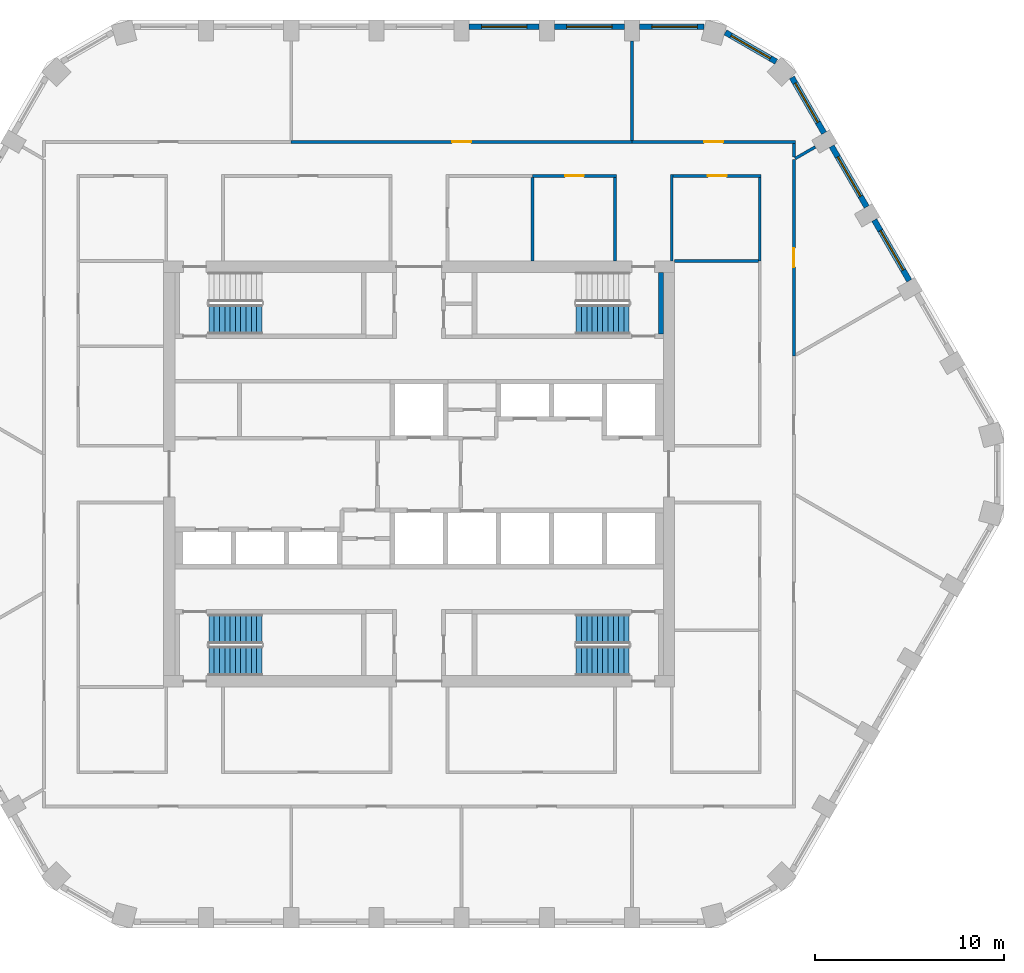
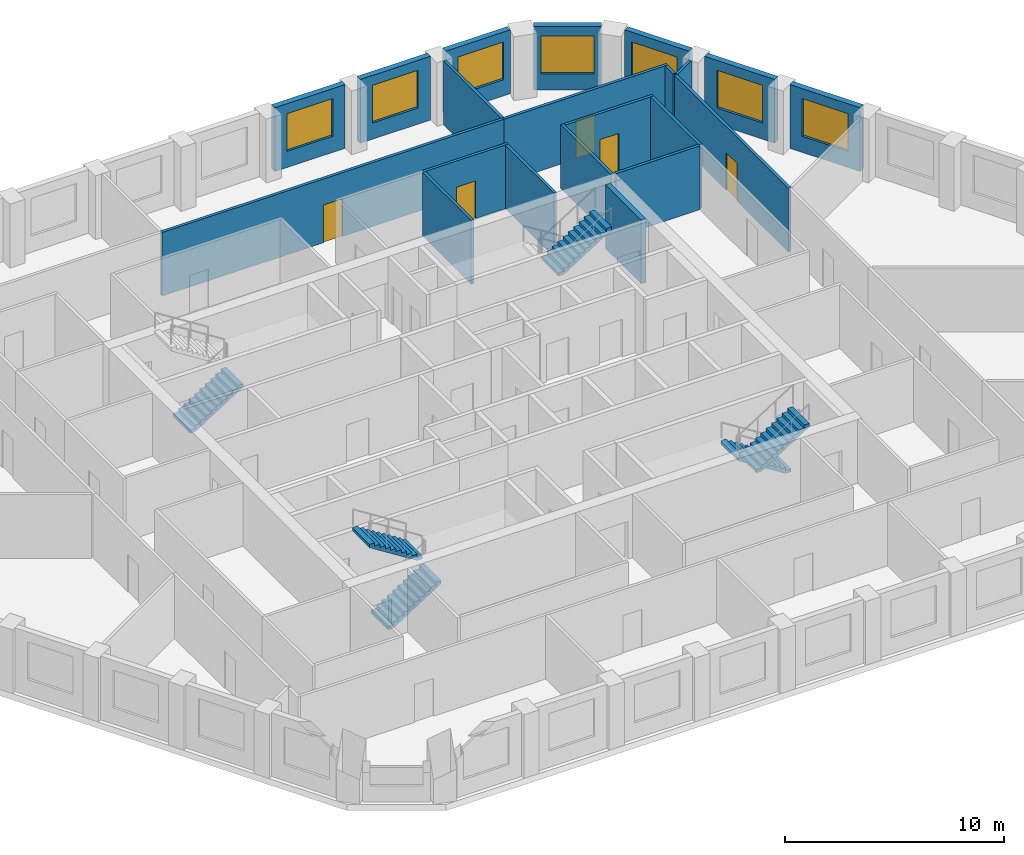
# One storey, part 7 of 9: 21 walls, 7 windows, 6 stair flights, 5 doors, 12 openings, 4 elements without a shape of their own.
"""IFC4 building model written with IfcOpenShell, lengths in metres."""

import ifcopenshell
import ifcopenshell.guid

model = None  # the IFC model being written
_history = None  # IfcOwnerHistory: only IFC2X3 demands one
_inside = {}  # id of a spatial element -> (the spatial element, [elements in it])
_under = {}  # id of a project, library or spatial element -> (it, [spatial elements below it])
_declared = {}  # id of a project -> (the project, [libraries it declares])
_typed = {}  # id of a type object -> (the type object, [elements of that type])
_made_of = {}  # id of a material, layer set ... -> (it, [elements and type objects made of it])


def new_model(schema):
    """Start an empty IFC model of exactly this schema.

    Asked for "IFC4X3", IfcOpenShell would pick the latest addendum, in which some entities
    have other attributes; the version numbers below select the first issue.
    IFC2X3 requires an IfcOwnerHistory on every rooted entity: one is made here for all.
    """
    global model, _history
    if schema == "IFC4X3":
        model = ifcopenshell.file(schema_version=(4, 3, 0, 0))
    else:
        model = ifcopenshell.file(schema=schema)
    _inside.clear()
    _under.clear()
    _declared.clear()
    _typed.clear()
    _made_of.clear()
    _history = None
    if model.schema == "IFC2X3":
        org = make("IfcOrganization", Name="unknown")
        user = make(
            "IfcPersonAndOrganization",
            ThePerson=make("IfcPerson", FamilyName="unknown"),
            TheOrganization=org,
        )
        app = make(
            "IfcApplication",
            ApplicationDeveloper=org,
            Version="unknown",
            ApplicationFullName="unknown",
            ApplicationIdentifier="unknown",
        )
        _history = make(
            "IfcOwnerHistory",
            OwningUser=user,
            OwningApplication=app,
            ChangeAction="ADDED",
            CreationDate=0,
        )
    return model


def make(cls, **values):
    """One entity of the class cls with the attributes given. An attribute that is None is left unset."""
    return model.create_entity(
        cls, **{name: value for name, value in values.items() if value is not None}
    )


def rooted(cls, **values):
    """An entity with a GlobalId (a new one), such as an element, a storey or a relation."""
    return make(cls, GlobalId=ifcopenshell.guid.new(), OwnerHistory=_history, **values)


def si_unit(unit_type, name, prefix=None):
    """IfcSIUnit, for example si_unit("LENGTHUNIT", "METRE", prefix="MILLI")."""
    return make("IfcSIUnit", UnitType=unit_type, Prefix=prefix, Name=name)


def assignment(units):
    """IfcUnitAssignment: the units of a project."""
    return None if units is None else make("IfcUnitAssignment", Units=units)


def point(xyz):
    """IfcCartesianPoint."""
    return None if xyz is None else make("IfcCartesianPoint", Coordinates=xyz)


def direction(xyz):
    """IfcDirection."""
    return None if xyz is None else make("IfcDirection", DirectionRatios=xyz)


def frame(location, z_axis=None, x_axis=None):
    """IfcAxis2Placement3D, a coordinate frame: its origin and axes. An axis left out is left unset."""
    return make(
        "IfcAxis2Placement3D",
        Location=point(location),
        Axis=direction(z_axis),
        RefDirection=direction(x_axis),
    )


def frame_2d(location, x_axis=None):
    """IfcAxis2Placement2D, a coordinate frame in the plane: its origin and x axis."""
    return make(
        "IfcAxis2Placement2D", Location=point(location), RefDirection=direction(x_axis)
    )


def origin():
    """The frame at (0, 0, 0) with its axes left unset."""
    return frame((0.0, 0.0, 0.0))


def place(relative_to, where):
    """IfcLocalPlacement: puts the frame where relative to a parent placement (None: the world)."""
    return make(
        "IfcLocalPlacement", PlacementRelTo=relative_to, RelativePlacement=where
    )


def context(
    kind, dimensions, precision=None, world=None, true_north=None, identifier=None
):
    """IfcGeometricRepresentationContext, for example the 3D "Model" context."""
    return make(
        "IfcGeometricRepresentationContext",
        ContextIdentifier=identifier,
        ContextType=kind,
        CoordinateSpaceDimension=dimensions,
        Precision=precision,
        WorldCoordinateSystem=world,
        TrueNorth=true_north,
    )


def subcontext(parent, identifier, kind, view, scale=None):
    """IfcGeometricRepresentationSubContext, for example "Body" below "Model"."""
    return make(
        "IfcGeometricRepresentationSubContext",
        ContextIdentifier=identifier,
        ContextType=kind,
        ParentContext=parent,
        TargetScale=scale,
        TargetView=view,
    )


def project(units=None, contexts=None):
    """IfcProject with its units and contexts."""
    return rooted(
        "IfcProject",
        Name="project",
        RepresentationContexts=contexts,
        UnitsInContext=assignment(units),
    )


def spatial(cls, under=None, at=None, **own):
    """A site, building, storey or space (cls), placed at a placement, below another one or the project."""
    s = rooted(cls, ObjectPlacement=at, **own)
    if under is not None:
        _under.setdefault(under.id(), (under, []))[1].append(s)
    return s


def polyline(points):
    """IfcPolyline through the points."""
    return make("IfcPolyline", Points=[point(p) for p in points])


def profile(cls, at=None, kind="AREA", **sizes):
    """A parametric profile (cls). Its sizes go by their IFC names, for example OverallWidth=200.0."""
    return make(cls, ProfileType=kind, Position=at, **sizes)


def rectangle(**sizes):
    """IfcRectangleProfileDef."""
    return profile("IfcRectangleProfileDef", **sizes)


def outline(outer, holes=None, kind="AREA"):
    """IfcArbitraryClosedProfileDef: a profile drawn as a closed curve; with holes, ...WithVoids."""
    if holes is None:
        return make("IfcArbitraryClosedProfileDef", ProfileType=kind, OuterCurve=outer)
    return make(
        "IfcArbitraryProfileDefWithVoids",
        ProfileType=kind,
        OuterCurve=outer,
        InnerCurves=holes,
    )


def extrude(swept, where, along, depth):
    """IfcExtrudedAreaSolid: the profile swept, set in the frame where, extruded along a direction by depth."""
    return make(
        "IfcExtrudedAreaSolid",
        SweptArea=swept,
        Position=where,
        ExtrudedDirection=direction(along),
        Depth=depth,
    )


def shape(context_of_items, identifier, shape_type, items):
    """IfcShapeRepresentation: the items that make up one representation, for example the "Body"."""
    return make(
        "IfcShapeRepresentation",
        ContextOfItems=context_of_items,
        RepresentationIdentifier=identifier,
        RepresentationType=shape_type,
        Items=items,
    )


def material(Name=None, Category=None):
    """IfcMaterial."""
    return make("IfcMaterial", Name=Name, Category=Category)


def layer(
    of_material, thickness, ventilated=None, Name=None, Category=None, Priority=None
):
    """IfcMaterialLayer: one layer of a wall or slab, of a material (None: an air gap)."""
    return make(
        "IfcMaterialLayer",
        Material=of_material,
        LayerThickness=thickness,
        IsVentilated=ventilated,
        Name=Name,
        Category=Category,
        Priority=Priority,
    )


def layer_set(layers, Name=None):
    """IfcMaterialLayerSet."""
    return make("IfcMaterialLayerSet", MaterialLayers=layers, LayerSetName=Name)


def made_of(thing, what):
    """Note that an element or type object is made of a material, layer set ...; save() writes the relation."""
    if what is not None:
        _made_of.setdefault(what.id(), (what, []))[1].append(thing)
    return thing


def type_object(cls, material=None, **own):
    """A type object (cls), such as IfcWallType, which elements share."""
    return made_of(rooted(cls, **own), material)


def element(
    cls,
    number,
    at=None,
    inside=None,
    cuts=None,
    type_object=None,
    material=None,
    context=None,
    identifier="Body",
    shape_type=None,
    held_by="IfcProductDefinitionShape",
    body=None,
    shapes=None,
    **own,
):
    """One element of the class cls, such as IfcWall. Its Tag is "e" and its number.

    at: its placement. inside: the storey or other place that contains it. cuts: it is an
    opening in that element (IfcRelVoidsElement). A single representation is given by context,
    identifier, shape_type and body (its items); several are given by shapes. held_by: the class
    of the entity that holds the representations. save() writes the other relations.
    """
    e = rooted(cls, Tag="e%d" % number, ObjectPlacement=at, **own)
    if body is not None:
        shapes = [shape(context, identifier, shape_type, body)]
    if shapes is not None:
        e.Representation = make(held_by, Representations=shapes)
    if inside is not None:
        _inside.setdefault(inside.id(), (inside, []))[1].append(e)
    if cuts is not None:
        rooted(
            "IfcRelVoidsElement", RelatingBuildingElement=cuts, RelatedOpeningElement=e
        )
    if type_object is not None:
        _typed.setdefault(type_object.id(), (type_object, []))[1].append(e)
    return made_of(e, material)


def fill(opening, filler):
    """IfcRelFillsElement: the door or window that sits in an opening."""
    return rooted(
        "IfcRelFillsElement",
        RelatingOpeningElement=opening,
        RelatedBuildingElement=filler,
    )


def aggregate(whole, parts):
    """IfcRelAggregates: a whole, such as a stair, and the parts it consists of."""
    return rooted("IfcRelAggregates", RelatingObject=whole, RelatedObjects=parts)


def save(model, path):
    """Write the relations noted so far, then the file.

    IfcRelAggregates (storeys below a building ...), IfcRelContainedInSpatialStructure (elements
    in a storey), IfcRelDefinesByType, IfcRelAssociatesMaterial and IfcRelDeclares: one each for
    every whole, place, type object, material and project.
    """
    for whole, parts in _under.values():
        aggregate(whole, parts)
    for where, things in _inside.values():
        rooted(
            "IfcRelContainedInSpatialStructure",
            RelatedElements=things,
            RelatingStructure=where,
        )
    for kind, things in _typed.values():
        rooted("IfcRelDefinesByType", RelatedObjects=things, RelatingType=kind)
    for what, things in _made_of.values():
        rooted("IfcRelAssociatesMaterial", RelatedObjects=things, RelatingMaterial=what)
    for by, libraries in _declared.values():
        rooted("IfcRelDeclares", RelatingContext=by, RelatedDefinitions=libraries)
    model.write(path)


model = new_model("IFC4")

# Units and contexts
model_context = context("Model", 3, precision=1e-05, world=origin(), true_north=direction((0.0, 1.0)))
body_context = subcontext(model_context, "Body", "Model", "MODEL_VIEW")
ifc_project = project(units=[si_unit("LENGTHUNIT", "METRE"), si_unit("AREAUNIT", "SQUARE_METRE"), si_unit("VOLUMEUNIT", "CUBIC_METRE"), si_unit("PLANEANGLEUNIT", "RADIAN"), si_unit("MASSUNIT", "GRAM", prefix="KILO")], contexts=[model_context])

# Site, building, storey
site_placement = place(None, origin())
site = spatial("IfcSite", under=ifc_project, at=site_placement, CompositionType="ELEMENT")
building_placement = place(site_placement, origin())
building = spatial("IfcBuilding", under=site, at=building_placement, Name="Dhurran Vertical Campus", CompositionType="ELEMENT")
storey_placement = place(building_placement, frame((0.0, 0.0, 203.39990234375)))
storey = spatial("IfcBuildingStorey", under=building, at=storey_placement, Name="L50", CompositionType="ELEMENT", Elevation=203.39990234375)

# Wall, opening, window
ifc_material_1 = material(Name="Precast concrete C50/60", Category="concrete")
ifc_layer_1 = layer(ifc_material_1, 0.300048828125)
ifc_layer_set_1 = layer_set([ifc_layer_1], Name="Precast concrete C50/60")
wall_type_1 = type_object("IfcWallType", Name="Precast spandrel wall 300", PredefinedType="SOLIDWALL", material=ifc_layer_set_1)
wall_1_placement = place(storey_placement, frame((25.893798828125, 10.216064453125, 0.0), z_axis=(0.0, 0.0, 1.0), x_axis=(-0.500029062817, 0.866008623709, 0.0)))
wall_1 = element("IfcWall", 1, at=wall_1_placement, inside=storey, type_object=wall_type_1, Name="EW1 L50.16", PredefinedType="SOLIDWALL", context=body_context, shape_type="SweptSolid", body=[
    extrude(rectangle(XDim=3.698974609375, YDim=0.300048828125, at=frame_2d((1.849609375, 0.0))), origin(), (0.0, 0.0, 1.0), 3.550048828125),
])
opening_1_placement = place(wall_1_placement, frame((0.6494140625, 0.0, 0.89990234375)))
opening_1 = element("IfcOpeningElement", 2, at=opening_1_placement, cuts=wall_1, Name="Opening WT1", PredefinedType="OPENING", context=body_context, shape_type="SweptSolid", body=[
    extrude(rectangle(XDim=2.39990234375, YDim=2.10009765625, at=frame_2d((1.199951171875, 1.050048828125))), frame((0.0, 0.159912109375, 0.0), z_axis=(0.0, -1.0, 0.0), x_axis=(1.0, 0.0, 0.0)), (0.0, 0.0, 1.0), 0.320068359375),
])
ifc_material_2 = material(Name="Aluminium frame with solar-control glass", Category="aluminium")
window_type = type_object("IfcWindowType", Name="Punched window 2400 x 2100", PartitioningType="SINGLE_PANEL", PredefinedType="WINDOW", material=ifc_material_2)
window_1_placement = place(opening_1_placement, origin())
window_1 = element("IfcWindow", 3, at=window_1_placement, inside=storey, type_object=window_type, Name="WT1 L50.16", OverallHeight=2.10009765625, OverallWidth=2.39990234375, PartitioningType="SINGLE_PANEL", PredefinedType="WINDOW", context=body_context, shape_type="SweptSolid", body=[
    extrude(rectangle(XDim=2.39990234375, YDim=2.10009765625, at=frame_2d((1.199951171875, 1.050048828125))), frame((0.0, 0.030029296875, 0.0), z_axis=(0.0, -1.0, 0.0), x_axis=(1.0, 0.0, 0.0)), (0.0, 0.0, 1.0), 0.06005859375),
])
fill(opening_1, window_1)

wall_2_placement = place(storey_placement, frame((23.643798828125, 14.11328125, 0.0), z_axis=(0.0, 0.0, 1.0), x_axis=(-0.500029062817, 0.866008623709, 0.0)))
wall_2 = element("IfcWall", 4, at=wall_2_placement, inside=storey, type_object=wall_type_1, Name="EW1 L50.17", PredefinedType="SOLIDWALL", context=body_context, shape_type="SweptSolid", body=[
    extrude(rectangle(XDim=3.698974609375, YDim=0.300048828125, at=frame_2d((1.849609375, 0.0))), origin(), (0.0, 0.0, 1.0), 3.550048828125),
])
opening_2_placement = place(wall_2_placement, frame((0.6494140625, 0.0, 0.89990234375)))
opening_2 = element("IfcOpeningElement", 5, at=opening_2_placement, cuts=wall_2, Name="Opening WT1", PredefinedType="OPENING", context=body_context, shape_type="SweptSolid", body=[
    extrude(rectangle(XDim=2.39990234375, YDim=2.10009765625, at=frame_2d((1.199951171875, 1.050048828125))), frame((0.0, 0.159912109375, 0.0), z_axis=(0.0, -1.0, 0.0), x_axis=(1.0, 0.0, 0.0)), (0.0, 0.0, 1.0), 0.320068359375),
])
window_2_placement = place(opening_2_placement, origin())
window_2 = element("IfcWindow", 6, at=window_2_placement, inside=storey, type_object=window_type, Name="WT1 L50.17", OverallHeight=2.10009765625, OverallWidth=2.39990234375, PartitioningType="SINGLE_PANEL", PredefinedType="WINDOW", context=body_context, shape_type="SweptSolid", body=[
    extrude(rectangle(XDim=2.39990234375, YDim=2.10009765625, at=frame_2d((1.199951171875, 1.050048828125))), frame((0.0, 0.030029296875, 0.0), z_axis=(0.0, -1.0, 0.0), x_axis=(1.0, 0.0, 0.0)), (0.0, 0.0, 1.0), 0.06005859375),
])
fill(opening_2, window_2)

wall_3_placement = place(storey_placement, frame((21.393798828125, 18.01025390625, 0.0), z_axis=(0.0, 0.0, 1.0), x_axis=(-0.500012868213, 0.866017974191, 0.0)))
wall_3 = element("IfcWall", 7, at=wall_3_placement, inside=storey, type_object=wall_type_1, Name="EW1 L50.18", PredefinedType="SOLIDWALL", context=body_context, shape_type="SweptSolid", body=[
    extrude(rectangle(XDim=3.39599609375, YDim=0.300048828125, at=frame_2d((1.697998046875, 0.0))), origin(), (0.0, 0.0, 1.0), 3.550048828125),
])
opening_3_placement = place(wall_3_placement, frame((0.6494140625, 0.0, 0.89990234375)))
opening_3 = element("IfcOpeningElement", 8, at=opening_3_placement, cuts=wall_3, Name="Opening WT1", PredefinedType="OPENING", context=body_context, shape_type="SweptSolid", body=[
    extrude(rectangle(XDim=2.39990234375, YDim=2.10009765625, at=frame_2d((1.199951171875, 1.050048828125))), frame((0.0, 0.159912109375, 0.0), z_axis=(0.0, -1.0, 0.0), x_axis=(1.0, 0.0, 0.0)), (0.0, 0.0, 1.0), 0.320068359375),
])
window_3_placement = place(opening_3_placement, origin())
window_3 = element("IfcWindow", 9, at=window_3_placement, inside=storey, type_object=window_type, Name="WT1 L50.18", OverallHeight=2.10009765625, OverallWidth=2.39990234375, PartitioningType="SINGLE_PANEL", PredefinedType="WINDOW", context=body_context, shape_type="SweptSolid", body=[
    extrude(rectangle(XDim=2.39990234375, YDim=2.10009765625, at=frame_2d((1.199951171875, 1.050048828125))), frame((0.0, 0.030029296875, 0.0), z_axis=(0.0, -1.0, 0.0), x_axis=(1.0, 0.0, 0.0)), (0.0, 0.0, 1.0), 0.06005859375),
])
fill(opening_3, window_3)

wall_4_placement = place(storey_placement, frame((18.86279296875, 21.7841796875, 0.0), z_axis=(0.0, 0.0, 1.0), x_axis=(-0.865994975416, 0.500052699777, 0.0)))
wall_4 = element("IfcWall", 10, at=wall_4_placement, inside=storey, type_object=wall_type_1, Name="EW1 L50.19", PredefinedType="SOLIDWALL", context=body_context, shape_type="SweptSolid", body=[
    extrude(rectangle(XDim=3.093017578125, YDim=0.300048828125, at=frame_2d((1.54638671875, 0.0))), origin(), (0.0, 0.0, 1.0), 3.550048828125),
])
opening_4_placement = place(wall_4_placement, frame((0.34619140625, 0.0, 0.89990234375)))
opening_4 = element("IfcOpeningElement", 11, at=opening_4_placement, cuts=wall_4, Name="Opening WT1", PredefinedType="OPENING", context=body_context, shape_type="SweptSolid", body=[
    extrude(rectangle(XDim=2.39990234375, YDim=2.10009765625, at=frame_2d((1.199951171875, 1.050048828125))), frame((0.0, 0.159912109375, 0.0), z_axis=(0.0, -1.0, 0.0), x_axis=(1.0, 0.0, 0.0)), (0.0, 0.0, 1.0), 0.320068359375),
])
window_4_placement = place(opening_4_placement, origin())
window_4 = element("IfcWindow", 12, at=window_4_placement, inside=storey, type_object=window_type, Name="WT1 L50.19", OverallHeight=2.10009765625, OverallWidth=2.39990234375, PartitioningType="SINGLE_PANEL", PredefinedType="WINDOW", context=body_context, shape_type="SweptSolid", body=[
    extrude(rectangle(XDim=2.39990234375, YDim=2.10009765625, at=frame_2d((1.199951171875, 1.050048828125))), frame((0.0, 0.030029296875, 0.0), z_axis=(0.0, -1.0, 0.0), x_axis=(1.0, 0.0, 0.0)), (0.0, 0.0, 1.0), 0.06005859375),
])
fill(opening_4, window_4)

wall_5_placement = place(storey_placement, frame((15.04638671875, 23.635498046875, 0.0), z_axis=(0.0, 0.0, 1.0), x_axis=(-1.0, 0.0, 0.0)))
wall_5 = element("IfcWall", 13, at=wall_5_placement, inside=storey, type_object=wall_type_1, Name="EW1 L50.20", PredefinedType="SOLIDWALL", context=body_context, shape_type="SweptSolid", body=[
    extrude(rectangle(XDim=3.39599609375, YDim=0.300048828125, at=frame_2d((1.697998046875, 0.0))), origin(), (0.0, 0.0, 1.0), 3.550048828125),
])
opening_5_placement = place(wall_5_placement, frame((0.34619140625, 0.0, 0.89990234375)))
opening_5 = element("IfcOpeningElement", 14, at=opening_5_placement, cuts=wall_5, Name="Opening WT1", PredefinedType="OPENING", context=body_context, shape_type="SweptSolid", body=[
    extrude(rectangle(XDim=2.39990234375, YDim=2.10009765625, at=frame_2d((1.199951171875, 1.050048828125))), frame((0.0, 0.159912109375, 0.0), z_axis=(0.0, -1.0, 0.0), x_axis=(1.0, 0.0, 0.0)), (0.0, 0.0, 1.0), 0.320068359375),
])
window_5_placement = place(opening_5_placement, origin())
window_5 = element("IfcWindow", 15, at=window_5_placement, inside=storey, type_object=window_type, Name="WT1 L50.20", OverallHeight=2.10009765625, OverallWidth=2.39990234375, PartitioningType="SINGLE_PANEL", PredefinedType="WINDOW", context=body_context, shape_type="SweptSolid", body=[
    extrude(rectangle(XDim=2.39990234375, YDim=2.10009765625, at=frame_2d((1.199951171875, 1.050048828125))), frame((0.0, 0.030029296875, 0.0), z_axis=(0.0, -1.0, 0.0), x_axis=(1.0, 0.0, 0.0)), (0.0, 0.0, 1.0), 0.06005859375),
])
fill(opening_5, window_5)

wall_6_placement = place(storey_placement, frame((10.849609375, 23.635498046875, 0.0), z_axis=(0.0, 0.0, 1.0), x_axis=(-1.0, 0.0, 0.0)))
wall_6 = element("IfcWall", 16, at=wall_6_placement, inside=storey, type_object=wall_type_1, Name="EW1 L50.21", PredefinedType="SOLIDWALL", context=body_context, shape_type="SweptSolid", body=[
    extrude(rectangle(XDim=3.69921875, YDim=0.300048828125, at=frame_2d((1.849609375, 0.0))), origin(), (0.0, 0.0, 1.0), 3.550048828125),
])
opening_6_placement = place(wall_6_placement, frame((0.6494140625, 0.0, 0.89990234375)))
opening_6 = element("IfcOpeningElement", 17, at=opening_6_placement, cuts=wall_6, Name="Opening WT1", PredefinedType="OPENING", context=body_context, shape_type="SweptSolid", body=[
    extrude(rectangle(XDim=2.39990234375, YDim=2.10009765625, at=frame_2d((1.199951171875, 1.050048828125))), frame((0.0, 0.159912109375, 0.0), z_axis=(0.0, -1.0, 0.0), x_axis=(1.0, 0.0, 0.0)), (0.0, 0.0, 1.0), 0.320068359375),
])
window_6_placement = place(opening_6_placement, origin())
window_6 = element("IfcWindow", 18, at=window_6_placement, inside=storey, type_object=window_type, Name="WT1 L50.21", OverallHeight=2.10009765625, OverallWidth=2.39990234375, PartitioningType="SINGLE_PANEL", PredefinedType="WINDOW", context=body_context, shape_type="SweptSolid", body=[
    extrude(rectangle(XDim=2.39990234375, YDim=2.10009765625, at=frame_2d((1.199951171875, 1.050048828125))), frame((0.0, 0.030029296875, 0.0), z_axis=(0.0, -1.0, 0.0), x_axis=(1.0, 0.0, 0.0)), (0.0, 0.0, 1.0), 0.06005859375),
])
fill(opening_6, window_6)

wall_7_placement = place(storey_placement, frame((6.349609375, 23.635498046875, 0.0), z_axis=(0.0, 0.0, 1.0), x_axis=(-1.0, 0.0, 0.0)))
wall_7 = element("IfcWall", 19, at=wall_7_placement, inside=storey, type_object=wall_type_1, Name="EW1 L50.22", PredefinedType="SOLIDWALL", context=body_context, shape_type="SweptSolid", body=[
    extrude(rectangle(XDim=3.69921875, YDim=0.300048828125, at=frame_2d((1.849609375, 0.0))), origin(), (0.0, 0.0, 1.0), 3.550048828125),
])
opening_7_placement = place(wall_7_placement, frame((0.6494140625, 0.0, 0.89990234375)))
opening_7 = element("IfcOpeningElement", 20, at=opening_7_placement, cuts=wall_7, Name="Opening WT1", PredefinedType="OPENING", context=body_context, shape_type="SweptSolid", body=[
    extrude(rectangle(XDim=2.39990234375, YDim=2.10009765625, at=frame_2d((1.199951171875, 1.050048828125))), frame((0.0, 0.159912109375, 0.0), z_axis=(0.0, -1.0, 0.0), x_axis=(1.0, 0.0, 0.0)), (0.0, 0.0, 1.0), 0.320068359375),
])
window_7_placement = place(opening_7_placement, origin())
window_7 = element("IfcWindow", 21, at=window_7_placement, inside=storey, type_object=window_type, Name="WT1 L50.22", OverallHeight=2.10009765625, OverallWidth=2.39990234375, PartitioningType="SINGLE_PANEL", PredefinedType="WINDOW", context=body_context, shape_type="SweptSolid", body=[
    extrude(rectangle(XDim=2.39990234375, YDim=2.10009765625, at=frame_2d((1.199951171875, 1.050048828125))), frame((0.0, 0.030029296875, 0.0), z_axis=(0.0, -1.0, 0.0), x_axis=(1.0, 0.0, 0.0)), (0.0, 0.0, 1.0), 0.06005859375),
])
fill(opening_7, window_7)

# Wall
ifc_material_3 = material(Name="Concrete C40/50", Category="concrete")
ifc_layer_2 = layer(ifc_material_3, 0.25)
ifc_layer_set_2 = layer_set([ifc_layer_2], Name="Concrete C40/50")
wall_type_2 = type_object("IfcWallType", Name="co-STAIR-WALL-250", PredefinedType="SHEAR", material=ifc_layer_set_2)
wall_8_placement = place(storey_placement, frame((12.77490234375, 7.39990234375, 0.0), z_axis=(0.0, 0.0, 1.0), x_axis=(0.0, 1.0, 0.0)))
element("IfcWall", 22, at=wall_8_placement, inside=storey, type_object=wall_type_2, Name="Stair ST2 enclosure wall L50", PredefinedType="SHEAR", context=body_context, shape_type="SweptSolid", body=[
    extrude(rectangle(XDim=3.25, YDim=0.25, at=frame_2d((1.625, 0.0))), origin(), (0.0, 0.0, 1.0), 3.550048828125),
])

# Wall, opening, door
ifc_material_4 = material(Name="Gypsum board corridor wall on steel studs", Category="steel")
ifc_layer_3 = layer(ifc_material_4, 0.14990234375)
ifc_layer_set_3 = layer_set([ifc_layer_3], Name="Gypsum board corridor wall on steel studs")
wall_type_3 = type_object("IfcWallType", Name="fl-CW-150 corridor wall", PredefinedType="PARTITIONING", material=ifc_layer_set_3)
wall_9_placement = place(storey_placement, frame((11.25, 17.550048828125, 0.0), z_axis=(0.0, 0.0, 1.0), x_axis=(-1.0, 0.0, 0.0)))
wall_9 = element("IfcWall", 23, at=wall_9_placement, inside=storey, type_object=wall_type_3, Name="Partition 50-33", PredefinedType="PARTITIONING", context=body_context, shape_type="SweptSolid", body=[
    extrude(rectangle(XDim=18.0, YDim=0.14990234375, at=frame_2d((9.0, 0.0))), origin(), (0.0, 0.0, 1.0), 3.550048828125),
])
opening_8_placement = place(wall_9_placement, frame((8.5, 0.0, 0.0)))
opening_8 = element("IfcOpeningElement", 24, at=opening_8_placement, cuts=wall_9, Name="Opening T14.14", PredefinedType="OPENING", context=body_context, shape_type="SweptSolid", body=[
    extrude(rectangle(XDim=1.0, YDim=2.10009765625, at=frame_2d((0.5, 1.050048828125))), frame((0.0, 0.0849609375, 0.0), z_axis=(0.0, -1.0, 0.0), x_axis=(1.0, 0.0, 0.0)), (0.0, 0.0, 1.0), 0.169921875),
])
ifc_material_5 = material(Name="Solid-core timber door set, fire-rated", Category="wood")
door_type = type_object("IfcDoorType", Name="fl-D-1000x2100", OperationType="SINGLE_SWING_LEFT", PredefinedType="DOOR", material=ifc_material_5)
door_1_placement = place(opening_8_placement, origin())
door_1 = element("IfcDoor", 25, at=door_1_placement, inside=storey, type_object=door_type, Name="Door 50.14", OperationType="SINGLE_SWING_RIGHT", OverallHeight=2.10009765625, OverallWidth=1.0, PredefinedType="DOOR", context=body_context, shape_type="SweptSolid", body=[
    extrude(rectangle(XDim=1.0, YDim=2.10009765625, at=frame_2d((0.5, 1.050048828125))), frame((0.0, 0.02490234375, 0.0), z_axis=(0.0, -1.0, 0.0), x_axis=(1.0, 0.0, 0.0)), (0.0, 0.0, 1.0), 0.050048828125),
])
fill(opening_8, door_1)

wall_10_placement = place(storey_placement, frame((6.0, 15.75, 0.0), z_axis=(0.0, 0.0, 1.0), x_axis=(1.0, 0.0, 0.0)))
wall_10 = element("IfcWall", 26, at=wall_10_placement, inside=storey, type_object=wall_type_3, Name="Partition 50-43", PredefinedType="PARTITIONING", context=body_context, shape_type="SweptSolid", body=[
    extrude(rectangle(XDim=4.425048828125, YDim=0.14990234375, at=frame_2d((2.21240234375, 0.0))), origin(), (0.0, 0.0, 1.0), 3.550048828125),
])
opening_9_placement = place(wall_10_placement, frame((1.71240234375, 0.0, 0.0)))
opening_9 = element("IfcOpeningElement", 27, at=opening_9_placement, cuts=wall_10, Name="Opening T14.18", PredefinedType="OPENING", context=body_context, shape_type="SweptSolid", body=[
    extrude(rectangle(XDim=1.0, YDim=2.10009765625, at=frame_2d((0.5, 1.050048828125))), frame((0.0, 0.0849609375, 0.0), z_axis=(0.0, -1.0, 0.0), x_axis=(1.0, 0.0, 0.0)), (0.0, 0.0, 1.0), 0.169921875),
])
door_2_placement = place(opening_9_placement, origin())
door_2 = element("IfcDoor", 28, at=door_2_placement, inside=storey, type_object=door_type, Name="Door 50.18", OperationType="SINGLE_SWING_LEFT", OverallHeight=2.10009765625, OverallWidth=1.0, PredefinedType="DOOR", context=body_context, shape_type="SweptSolid", body=[
    extrude(rectangle(XDim=1.0, YDim=2.10009765625, at=frame_2d((0.5, 1.050048828125))), frame((0.0, 0.02490234375, 0.0), z_axis=(0.0, -1.0, 0.0), x_axis=(1.0, 0.0, 0.0)), (0.0, 0.0, 1.0), 0.050048828125),
])
fill(opening_9, door_2)

# Wall
wall_11_placement = place(storey_placement, frame((10.35009765625, 15.675048828125, 0.0), z_axis=(0.0, 0.0, 1.0), x_axis=(0.0, -1.0, 0.0)))
element("IfcWall", 29, at=wall_11_placement, inside=storey, type_object=wall_type_3, Name="Partition 50-45", PredefinedType="PARTITIONING", context=body_context, shape_type="SweptSolid", body=[
    extrude(rectangle(XDim=4.425048828125, YDim=0.14990234375, at=frame_2d((2.21240234375, 0.0))), origin(), (0.0, 0.0, 1.0), 3.550048828125),
])

# Wall, opening, door
wall_12_placement = place(storey_placement, frame((19.875, 17.550048828125, 0.0), z_axis=(0.0, 0.0, 1.0), x_axis=(-1.0, 0.0, 0.0)))
wall_12 = element("IfcWall", 30, at=wall_12_placement, inside=storey, type_object=wall_type_3, Name="Partition 50-49", PredefinedType="PARTITIONING", context=body_context, shape_type="SweptSolid", body=[
    extrude(rectangle(XDim=8.625, YDim=0.14990234375, at=frame_2d((4.3125, 0.0))), origin(), (0.0, 0.0, 1.0), 3.550048828125),
])
opening_10_placement = place(wall_12_placement, frame((3.8125, 0.0, 0.0)))
opening_10 = element("IfcOpeningElement", 31, at=opening_10_placement, cuts=wall_12, Name="Opening T14.19", PredefinedType="OPENING", context=body_context, shape_type="SweptSolid", body=[
    extrude(rectangle(XDim=1.0, YDim=2.10009765625, at=frame_2d((0.5, 1.050048828125))), frame((0.0, 0.0849609375, 0.0), z_axis=(0.0, -1.0, 0.0), x_axis=(1.0, 0.0, 0.0)), (0.0, 0.0, 1.0), 0.169921875),
])
door_3_placement = place(opening_10_placement, origin())
door_3 = element("IfcDoor", 32, at=door_3_placement, inside=storey, type_object=door_type, Name="Door 50.19", OperationType="SINGLE_SWING_RIGHT", OverallHeight=2.10009765625, OverallWidth=1.0, PredefinedType="DOOR", context=body_context, shape_type="SweptSolid", body=[
    extrude(rectangle(XDim=1.0, YDim=2.10009765625, at=frame_2d((0.5, 1.050048828125))), frame((0.0, 0.02490234375, 0.0), z_axis=(0.0, -1.0, 0.0), x_axis=(1.0, 0.0, 0.0)), (0.0, 0.0, 1.0), 0.050048828125),
])
fill(opening_10, door_3)

# Wall
wall_13_placement = place(storey_placement, frame((13.35009765625, 11.25, 0.0), z_axis=(0.0, 0.0, 1.0), x_axis=(0.0, 1.0, 0.0)))
element("IfcWall", 33, at=wall_13_placement, inside=storey, type_object=wall_type_3, Name="Partition 50-52", PredefinedType="PARTITIONING", context=body_context, shape_type="SweptSolid", body=[
    extrude(rectangle(XDim=4.574951171875, YDim=0.14990234375, at=frame_2d((2.28759765625, 0.0))), origin(), (0.0, 0.0, 1.0), 3.550048828125),
])

# Wall, opening, door
wall_14_placement = place(storey_placement, frame((13.425048828125, 15.75, 0.0), z_axis=(0.0, 0.0, 1.0), x_axis=(1.0, 0.0, 0.0)))
wall_14 = element("IfcWall", 34, at=wall_14_placement, inside=storey, type_object=wall_type_3, Name="Partition 50-53", PredefinedType="PARTITIONING", context=body_context, shape_type="SweptSolid", body=[
    extrude(rectangle(XDim=4.64990234375, YDim=0.14990234375, at=frame_2d((2.324951171875, 0.0))), origin(), (0.0, 0.0, 1.0), 3.550048828125),
])
opening_11_placement = place(wall_14_placement, frame((1.824951171875, 0.0, 0.0)))
opening_11 = element("IfcOpeningElement", 35, at=opening_11_placement, cuts=wall_14, Name="Opening T14.20", PredefinedType="OPENING", context=body_context, shape_type="SweptSolid", body=[
    extrude(rectangle(XDim=1.0, YDim=2.10009765625, at=frame_2d((0.5, 1.050048828125))), frame((0.0, 0.0849609375, 0.0), z_axis=(0.0, -1.0, 0.0), x_axis=(1.0, 0.0, 0.0)), (0.0, 0.0, 1.0), 0.169921875),
])
door_4_placement = place(opening_11_placement, origin())
door_4 = element("IfcDoor", 36, at=door_4_placement, inside=storey, type_object=door_type, Name="Door 50.20", OperationType="SINGLE_SWING_LEFT", OverallHeight=2.10009765625, OverallWidth=1.0, PredefinedType="DOOR", context=body_context, shape_type="SweptSolid", body=[
    extrude(rectangle(XDim=1.0, YDim=2.10009765625, at=frame_2d((0.5, 1.050048828125))), frame((0.0, 0.02490234375, 0.0), z_axis=(0.0, -1.0, 0.0), x_axis=(1.0, 0.0, 0.0)), (0.0, 0.0, 1.0), 0.050048828125),
])
fill(opening_11, door_4)

# Wall
wall_15_placement = place(storey_placement, frame((18.0, 15.675048828125, 0.0), z_axis=(0.0, 0.0, 1.0), x_axis=(0.0, -1.0, 0.0)))
element("IfcWall", 37, at=wall_15_placement, inside=storey, type_object=wall_type_3, Name="Partition 50-61", PredefinedType="PARTITIONING", context=body_context, shape_type="SweptSolid", body=[
    extrude(rectangle(XDim=4.425048828125, YDim=0.14990234375, at=frame_2d((2.21240234375, 0.0))), origin(), (0.0, 0.0, 1.0), 3.550048828125),
])

# Wall, opening, door
wall_16_placement = place(storey_placement, frame((19.800048828125, 6.235107421875, 0.0), z_axis=(0.0, 0.0, 1.0), x_axis=(0.0, 1.0, 0.0)))
wall_16 = element("IfcWall", 38, at=wall_16_placement, inside=storey, type_object=wall_type_3, Name="Partition 50-67", PredefinedType="PARTITIONING", context=body_context, shape_type="SweptSolid", body=[
    extrude(rectangle(XDim=10.392822265625, YDim=0.14990234375, at=frame_2d((5.1962890625, 0.0))), origin(), (0.0, 0.0, 1.0), 3.550048828125),
])
opening_12_placement = place(wall_16_placement, frame((4.696533203125, 0.0, 0.0)))
opening_12 = element("IfcOpeningElement", 39, at=opening_12_placement, cuts=wall_16, Name="Opening T14.25", PredefinedType="OPENING", context=body_context, shape_type="SweptSolid", body=[
    extrude(rectangle(XDim=1.0, YDim=2.10009765625, at=frame_2d((0.5, 1.050048828125))), frame((0.0, 0.0849609375, 0.0), z_axis=(0.0, -1.0, 0.0), x_axis=(1.0, 0.0, 0.0)), (0.0, 0.0, 1.0), 0.169921875),
])
door_5_placement = place(opening_12_placement, origin())
door_5 = element("IfcDoor", 40, at=door_5_placement, inside=storey, type_object=door_type, Name="Door 50.25", OperationType="SINGLE_SWING_LEFT", OverallHeight=2.10009765625, OverallWidth=1.0, PredefinedType="DOOR", context=body_context, shape_type="SweptSolid", body=[
    extrude(rectangle(XDim=1.0, YDim=2.10009765625, at=frame_2d((0.5, 1.050048828125))), frame((0.0, 0.02490234375, 0.0), z_axis=(0.0, -1.0, 0.0), x_axis=(1.0, 0.0, 0.0)), (0.0, 0.0, 1.0), 0.050048828125),
])
fill(opening_12, door_5)

# Walls
wall_17_placement = place(storey_placement, frame((19.800048828125, 16.758056640625, 0.0), z_axis=(0.0, 0.0, 1.0), x_axis=(0.0, 1.0, 0.0)))
element("IfcWall", 41, at=wall_17_placement, inside=storey, type_object=wall_type_3, Name="Partition 50-69", PredefinedType="PARTITIONING", context=body_context, shape_type="SweptSolid", body=[
    extrude(rectangle(XDim=0.717041015625, YDim=0.14990234375, at=frame_2d((0.3583984375, 0.0))), origin(), (0.0, 0.0, 1.0), 3.550048828125),
])
ifc_material_6 = material(Name="Gypsum board partition on steel studs", Category="steel")
ifc_layer_4 = layer(ifc_material_6, 0.14990234375)
ifc_layer_set_4 = layer_set([ifc_layer_4], Name="Gypsum board partition on steel studs")
wall_type_4 = type_object("IfcWallType", Name="fl-PW-150 fixed partition", PredefinedType="PARTITIONING", material=ifc_layer_set_4)
wall_18_placement = place(storey_placement, frame((6.0, 15.675048828125, 0.0), z_axis=(0.0, 0.0, 1.0), x_axis=(0.0, -1.0, 0.0)))
element("IfcWall", 42, at=wall_18_placement, inside=storey, type_object=wall_type_4, Name="Partition 50-42", PredefinedType="PARTITIONING", context=body_context, shape_type="SweptSolid", body=[
    extrude(rectangle(XDim=4.425048828125, YDim=0.14990234375, at=frame_2d((2.21240234375, 0.0))), origin(), (0.0, 0.0, 1.0), 3.550048828125),
])
wall_19_placement = place(storey_placement, frame((11.25, 22.865478515625, 0.0), z_axis=(0.0, 0.0, 1.0), x_axis=(0.0, -1.0, 0.0)))
element("IfcWall", 43, at=wall_19_placement, inside=storey, type_object=wall_type_4, Name="Partition 50-48", PredefinedType="PARTITIONING", context=body_context, shape_type="SweptSolid", body=[
    extrude(rectangle(XDim=5.240478515625, YDim=0.14990234375, at=frame_2d((2.6201171875, 0.0))), origin(), (0.0, 0.0, 1.0), 3.550048828125),
])
wall_20_placement = place(storey_placement, frame((17.925048828125, 11.25, 0.0), z_axis=(0.0, 0.0, 1.0), x_axis=(-1.0, 0.0, 0.0)))
element("IfcWall", 44, at=wall_20_placement, inside=storey, type_object=wall_type_4, Name="Partition 50-57", PredefinedType="PARTITIONING", context=body_context, shape_type="SweptSolid", body=[
    extrude(rectangle(XDim=4.425048828125, YDim=0.14990234375, at=frame_2d((2.21240234375, 0.0))), origin(), (0.0, 0.0, 1.0), 3.550048828125),
])
wall_21_placement = place(storey_placement, frame((20.92724609375, 17.2783203125, 0.0), z_axis=(0.0, 0.0, 1.0), x_axis=(-0.866202157257, -0.499693728962, 0.0)))
element("IfcWall", 45, at=wall_21_placement, inside=storey, type_object=wall_type_4, Name="Partition 50-70", PredefinedType="PARTITIONING", context=body_context, shape_type="SweptSolid", body=[
    extrude(rectangle(XDim=1.226318359375, YDim=0.14990234375, at=frame_2d((0.61328125, 0.0))), origin(), (0.0, 0.0, 1.0), 3.550048828125),
])

# Stair, stair flight
ifc_material_7 = material(Name="Concrete C40/50", Category="concrete")
stair_type = type_object("IfcStairType", Name="co-ST-CORE", PredefinedType="HALF_TURN_STAIR", material=ifc_material_7)
stair_1_placement = place(storey_placement, origin())
stair_1 = element("IfcStair", 46, at=stair_1_placement, inside=storey, type_object=stair_type, Name="L50 Protected exit stair ST1", PredefinedType="HALF_TURN_STAIR")
ifc_material_8 = material(Name="Concrete C40/50", Category="concrete")
stair_flight_type = type_object("IfcStairFlightType", Name="co-SFL-RC", PredefinedType="STRAIGHT", material=ifc_material_8)
stair_flight_1_placement = place(storey_placement, frame((-11.10009765625, 8.175048828125, 0.0), z_axis=(0.0, 0.0, 1.0), x_axis=(1.0, 0.0, 0.0)))
stair_flight_1 = element("IfcStairFlight", 47, at=stair_flight_1_placement, type_object=stair_flight_type, Name="ST1 flight 1", NumberOfRisers=11, NumberOfTreads=10, PredefinedType="STRAIGHT", RiserHeight=0.177272727, TreadLength=0.28, context=body_context, shape_type="SweptSolid", body=[
    extrude(outline(polyline([(0.0, 0.0), (0.0, 0.17724609375), (0.280029296875, 0.17724609375), (0.280029296875, 0.3544921875), (0.56005859375, 0.3544921875), (0.56005859375, 0.53173828125), (0.840087890625, 0.53173828125), (0.840087890625, 0.708984375), (1.1201171875, 0.708984375), (1.1201171875, 0.886474609375), (1.39990234375, 0.886474609375), (1.39990234375, 1.063720703125), (1.679931640625, 1.063720703125), (1.679931640625, 1.240966796875), (1.9599609375, 1.240966796875), (1.9599609375, 1.418212890625), (2.239990234375, 1.418212890625), (2.239990234375, 1.595458984375), (2.52001953125, 1.595458984375), (2.52001953125, 1.772705078125), (2.800048828125, 1.772705078125), (2.800048828125, 1.949951171875), (2.800048828125, 1.59521484375), (0.2802734375, 0.0), (0.0, 0.0)])), frame((0.0, 0.77490234375, 0.0), z_axis=(0.0, -1.0, 0.0), x_axis=(1.0, 0.0, 0.0)), (0.0, 0.0, 1.0), 1.550048828125),
])
aggregate(stair_1, [stair_flight_1])

stair_2_placement = place(storey_placement, origin())
stair_2 = element("IfcStair", 48, at=stair_2_placement, inside=storey, type_object=stair_type, Name="L50 Protected exit stair ST2", PredefinedType="HALF_TURN_STAIR")
stair_flight_2_placement = place(storey_placement, frame((8.300048828125, 8.175048828125, 1.9501953125), z_axis=(0.0, 0.0, 1.0), x_axis=(1.0, 0.0, 0.0)))
stair_flight_2 = element("IfcStairFlight", 49, at=stair_flight_2_placement, type_object=stair_flight_type, Name="ST2 flight 2", NumberOfRisers=11, NumberOfTreads=10, PredefinedType="STRAIGHT", RiserHeight=0.177272727, TreadLength=0.28, context=body_context, shape_type="SweptSolid", body=[
    extrude(outline(polyline([(0.0, 0.0), (0.0, 0.17724609375), (0.280029296875, 0.17724609375), (0.280029296875, 0.3544921875), (0.56005859375, 0.3544921875), (0.56005859375, 0.53173828125), (0.840087890625, 0.53173828125), (0.840087890625, 0.708984375), (1.1201171875, 0.708984375), (1.1201171875, 0.886474609375), (1.39990234375, 0.886474609375), (1.39990234375, 1.063720703125), (1.679931640625, 1.063720703125), (1.679931640625, 1.240966796875), (1.9599609375, 1.240966796875), (1.9599609375, 1.418212890625), (2.239990234375, 1.418212890625), (2.239990234375, 1.595458984375), (2.52001953125, 1.595458984375), (2.52001953125, 1.772705078125), (2.800048828125, 1.772705078125), (2.800048828125, 1.949951171875), (2.800048828125, 1.59521484375), (0.2802734375, 0.0), (0.0, 0.0)])), frame((0.0, 0.77490234375, 0.0), z_axis=(0.0, -1.0, 0.0), x_axis=(1.0, 0.0, 0.0)), (0.0, 0.0, 1.0), 1.550048828125),
])
aggregate(stair_2, [stair_flight_2])

# Stair, stair flights
stair_3_placement = place(storey_placement, origin())
stair_3 = element("IfcStair", 50, at=stair_3_placement, inside=storey, type_object=stair_type, Name="L50 Protected exit stair ST3", PredefinedType="HALF_TURN_STAIR")
stair_flight_3_placement = place(storey_placement, frame((-11.10009765625, -9.875, 0.0), z_axis=(0.0, 0.0, 1.0), x_axis=(1.0, 0.0, 0.0)))
stair_flight_3 = element("IfcStairFlight", 51, at=stair_flight_3_placement, type_object=stair_flight_type, Name="ST3 flight 1", NumberOfRisers=11, NumberOfTreads=10, PredefinedType="STRAIGHT", RiserHeight=0.177272727, TreadLength=0.28, context=body_context, shape_type="SweptSolid", body=[
    extrude(outline(polyline([(0.0, 0.0), (0.0, 0.17724609375), (0.280029296875, 0.17724609375), (0.280029296875, 0.3544921875), (0.56005859375, 0.3544921875), (0.56005859375, 0.53173828125), (0.840087890625, 0.53173828125), (0.840087890625, 0.708984375), (1.1201171875, 0.708984375), (1.1201171875, 0.886474609375), (1.39990234375, 0.886474609375), (1.39990234375, 1.063720703125), (1.679931640625, 1.063720703125), (1.679931640625, 1.240966796875), (1.9599609375, 1.240966796875), (1.9599609375, 1.418212890625), (2.239990234375, 1.418212890625), (2.239990234375, 1.595458984375), (2.52001953125, 1.595458984375), (2.52001953125, 1.772705078125), (2.800048828125, 1.772705078125), (2.800048828125, 1.949951171875), (2.800048828125, 1.59521484375), (0.2802734375, 0.0), (0.0, 0.0)])), frame((0.0, 0.77490234375, 0.0), z_axis=(0.0, -1.0, 0.0), x_axis=(1.0, 0.0, 0.0)), (0.0, 0.0, 1.0), 1.550048828125),
])
stair_flight_4_placement = place(storey_placement, frame((-8.300048828125, -8.175048828125, 1.9501953125), z_axis=(0.0, 0.0, 1.0), x_axis=(-1.0, 0.0, 0.0)))
stair_flight_4 = element("IfcStairFlight", 52, at=stair_flight_4_placement, type_object=stair_flight_type, Name="ST3 flight 2", NumberOfRisers=11, NumberOfTreads=10, PredefinedType="STRAIGHT", RiserHeight=0.177272727, TreadLength=0.28, context=body_context, shape_type="SweptSolid", body=[
    extrude(outline(polyline([(0.0, 0.0), (0.0, 0.17724609375), (0.280029296875, 0.17724609375), (0.280029296875, 0.3544921875), (0.56005859375, 0.3544921875), (0.56005859375, 0.53173828125), (0.840087890625, 0.53173828125), (0.840087890625, 0.708984375), (1.1201171875, 0.708984375), (1.1201171875, 0.886474609375), (1.39990234375, 0.886474609375), (1.39990234375, 1.063720703125), (1.679931640625, 1.063720703125), (1.679931640625, 1.240966796875), (1.9599609375, 1.240966796875), (1.9599609375, 1.418212890625), (2.239990234375, 1.418212890625), (2.239990234375, 1.595458984375), (2.52001953125, 1.595458984375), (2.52001953125, 1.772705078125), (2.800048828125, 1.772705078125), (2.800048828125, 1.949951171875), (2.800048828125, 1.59521484375), (0.2802734375, 0.0), (0.0, 0.0)])), frame((0.0, 0.77490234375, 0.0), z_axis=(0.0, -1.0, 0.0), x_axis=(1.0, 0.0, 0.0)), (0.0, 0.0, 1.0), 1.550048828125),
])
aggregate(stair_3, [stair_flight_3, stair_flight_4])

stair_4_placement = place(storey_placement, origin())
stair_4 = element("IfcStair", 53, at=stair_4_placement, inside=storey, type_object=stair_type, Name="L50 Protected exit stair ST4", PredefinedType="HALF_TURN_STAIR")
stair_flight_5_placement = place(storey_placement, frame((11.10009765625, -8.175048828125, 0.0), z_axis=(0.0, 0.0, 1.0), x_axis=(-1.0, 0.0, 0.0)))
stair_flight_5 = element("IfcStairFlight", 54, at=stair_flight_5_placement, type_object=stair_flight_type, Name="ST4 flight 1", NumberOfRisers=11, NumberOfTreads=10, PredefinedType="STRAIGHT", RiserHeight=0.177272727, TreadLength=0.28, context=body_context, shape_type="SweptSolid", body=[
    extrude(outline(polyline([(0.0, 0.0), (0.0, 0.17724609375), (0.280029296875, 0.17724609375), (0.280029296875, 0.3544921875), (0.56005859375, 0.3544921875), (0.56005859375, 0.53173828125), (0.840087890625, 0.53173828125), (0.840087890625, 0.708984375), (1.1201171875, 0.708984375), (1.1201171875, 0.886474609375), (1.39990234375, 0.886474609375), (1.39990234375, 1.063720703125), (1.679931640625, 1.063720703125), (1.679931640625, 1.240966796875), (1.9599609375, 1.240966796875), (1.9599609375, 1.418212890625), (2.239990234375, 1.418212890625), (2.239990234375, 1.595458984375), (2.52001953125, 1.595458984375), (2.52001953125, 1.772705078125), (2.800048828125, 1.772705078125), (2.800048828125, 1.949951171875), (2.800048828125, 1.59521484375), (0.2802734375, 0.0), (0.0, 0.0)])), frame((0.0, 0.77490234375, 0.0), z_axis=(0.0, -1.0, 0.0), x_axis=(1.0, 0.0, 0.0)), (0.0, 0.0, 1.0), 1.550048828125),
])
stair_flight_6_placement = place(storey_placement, frame((8.300048828125, -9.875, 1.9501953125), z_axis=(0.0, 0.0, 1.0), x_axis=(1.0, 0.0, 0.0)))
stair_flight_6 = element("IfcStairFlight", 55, at=stair_flight_6_placement, type_object=stair_flight_type, Name="ST4 flight 2", NumberOfRisers=11, NumberOfTreads=10, PredefinedType="STRAIGHT", RiserHeight=0.177272727, TreadLength=0.28, context=body_context, shape_type="SweptSolid", body=[
    extrude(outline(polyline([(0.0, 0.0), (0.0, 0.17724609375), (0.280029296875, 0.17724609375), (0.280029296875, 0.3544921875), (0.56005859375, 0.3544921875), (0.56005859375, 0.53173828125), (0.840087890625, 0.53173828125), (0.840087890625, 0.708984375), (1.1201171875, 0.708984375), (1.1201171875, 0.886474609375), (1.39990234375, 0.886474609375), (1.39990234375, 1.063720703125), (1.679931640625, 1.063720703125), (1.679931640625, 1.240966796875), (1.9599609375, 1.240966796875), (1.9599609375, 1.418212890625), (2.239990234375, 1.418212890625), (2.239990234375, 1.595458984375), (2.52001953125, 1.595458984375), (2.52001953125, 1.772705078125), (2.800048828125, 1.772705078125), (2.800048828125, 1.949951171875), (2.800048828125, 1.59521484375), (0.2802734375, 0.0), (0.0, 0.0)])), frame((0.0, 0.77490234375, 0.0), z_axis=(0.0, -1.0, 0.0), x_axis=(1.0, 0.0, 0.0)), (0.0, 0.0, 1.0), 1.550048828125),
])
aggregate(stair_4, [stair_flight_5, stair_flight_6])

save(model, "model.ifc")
